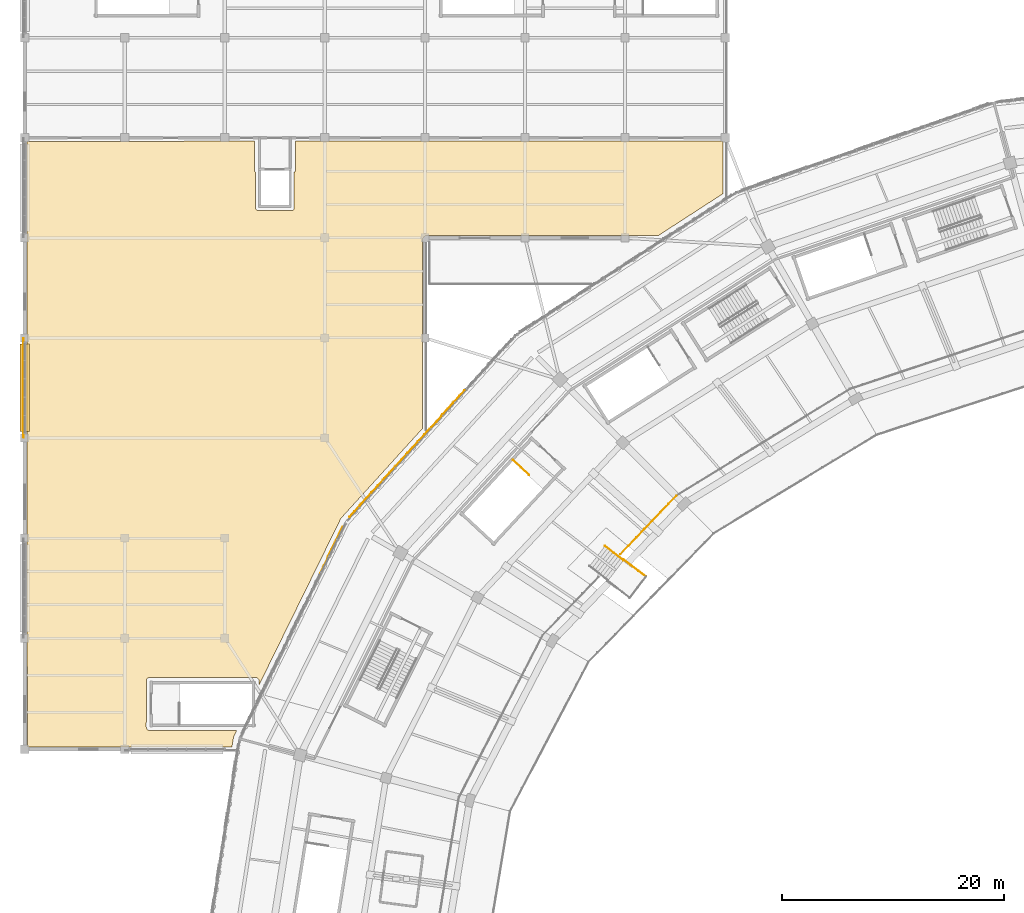
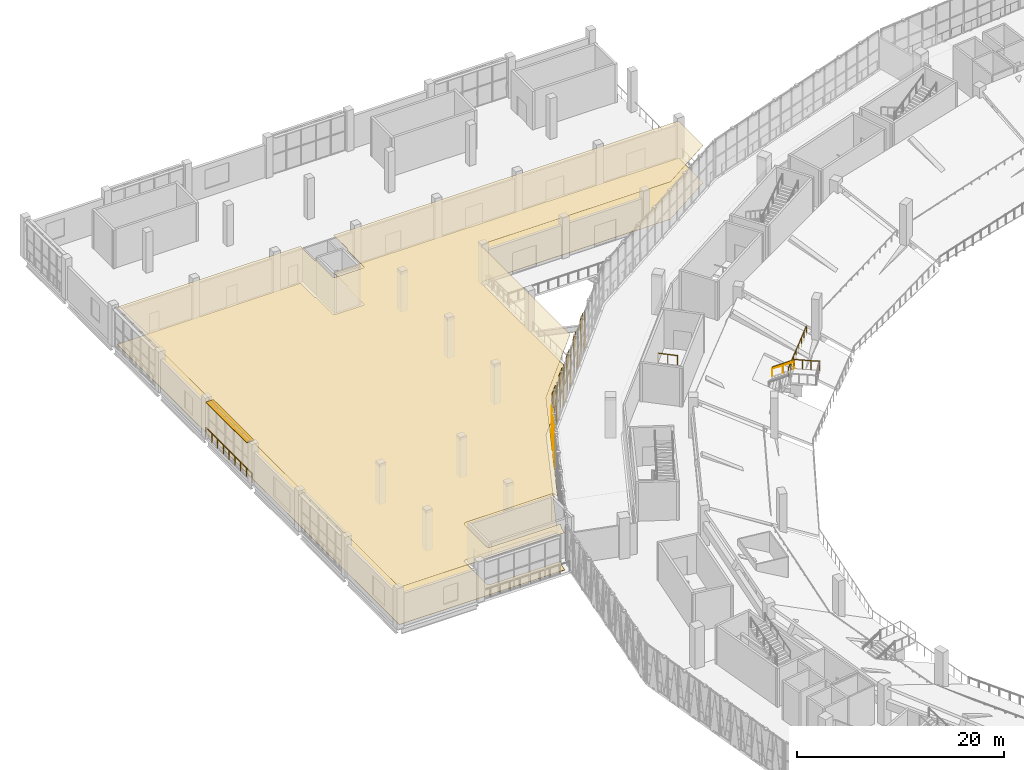
# One storey, part 138 of 152: 15 coverings, 6 railings, 1 shading device.
"""IFC4 building model written with IfcOpenShell, lengths in metres."""

from ifc_helpers import new_model, si_unit, direction, frame, origin, origin_2d, place, context, subcontext, project, spatial, polyline, rectangle, circle, outline, extrude, material, layer, layer_set, type_object, element, save


model = new_model("IFC4")

# Units and contexts
model_context = context("Model", 3, precision=1e-05, world=origin(), true_north=direction((0.0, 1.0)))
body_context = subcontext(model_context, "Body", "Model", "MODEL_VIEW")
ifc_project = project(units=[si_unit("LENGTHUNIT", "METRE"), si_unit("AREAUNIT", "SQUARE_METRE"), si_unit("VOLUMEUNIT", "CUBIC_METRE"), si_unit("PLANEANGLEUNIT", "RADIAN"), si_unit("MASSUNIT", "GRAM", prefix="KILO")], contexts=[model_context])

# Site, building, storey
site_placement = place(None, origin())
site = spatial("IfcSite", under=ifc_project, at=site_placement, CompositionType="ELEMENT")
building_placement = place(site_placement, origin())
building = spatial("IfcBuilding", under=site, at=building_placement, Name="Zevraka Park Crest Stadium", CompositionType="ELEMENT")
storey_placement = place(building_placement, frame((0.0, 0.0, 15.0)))
storey = spatial("IfcBuildingStorey", under=building, at=storey_placement, Name="L03", CompositionType="ELEMENT", Elevation=15.0)

# Coverings
ifc_material_1 = material(Name="Architectural golden-bronze perforated aluminium", Category="aluminium")
ifc_layer_1 = layer(ifc_material_1, 0.034912109375)
ifc_layer_set_1 = layer_set([ifc_layer_1], Name="Architectural golden-bronze perforated aluminium")
covering_type_1 = type_object("IfcCoveringType", Name="CLD01", PredefinedType="CLADDING", material=ifc_layer_set_1)
covering_1_placement = place(storey_placement, frame((39.575927734375, 144.281005859375, -0.260009765625), z_axis=(0.739654964732, -0.67298627735, 6.0389811e-05), x_axis=(-0.672986278577, -0.73965496608, 0.0)))
element("IfcCovering", 1, at=covering_1_placement, inside=storey, type_object=covering_type_1, Name="Triangular Golden-Bronze Perforated Cladding L03-09-5", PredefinedType="CLADDING", context=body_context, shape_type="SweptSolid", body=[
    extrude(outline(polyline([(0.0, 0.0), (1.3952213791572479, 0.0), (0.6980295860728118, -4.620117195924622), (0.0, 0.0)])), origin(), (0.0, 0.0, -1.0), 0.034912109375),
])
covering_2_placement = place(storey_placement, frame((37.590087890625, 142.097900390625, 4.52001953125), z_axis=(0.739654964523, -0.67298627716, 6.4884846e-05), x_axis=(0.672986278577, 0.73965496608, 0.0)))
element("IfcCovering", 2, at=covering_2_placement, inside=storey, type_object=covering_type_1, Name="Triangular Golden-Bronze Perforated Cladding L03-09-6", PredefinedType="CLADDING", context=body_context, shape_type="SweptSolid", body=[
    extrude(outline(polyline([(0.0, 0.0), (1.3952213791572479, -6.776263578034403e-21), (0.6980295860728118, -4.300048837176696), (0.0, 0.0)])), origin(), (0.0, 0.0, -1.0), 0.034912109375),
])
covering_3_placement = place(storey_placement, frame((37.48291015625, 141.97998046875, -0.260009765625), z_axis=(-0.739971727353, 0.672637972914, 1.0655859e-05), x_axis=(-0.672637972952, -0.739971727395, 0.0)))
element("IfcCovering", 3, at=covering_3_placement, inside=storey, type_object=covering_type_1, Name="Triangular Golden-Bronze Perforated Cladding L03-09-7", PredefinedType="CLADDING", context=body_context, shape_type="SweptSolid", body=[
    extrude(outline(polyline([(0.0, 0.0), (1.3959438531687058, 2.541098841762901e-21), (0.6987520059946044, 4.620117187762301), (0.0, 0.0)])), origin(), (0.0, 0.0, -1.0), 0.034912109375),
])
covering_4_placement = place(storey_placement, frame((35.4970703125, 139.7958984375, 4.52001953125), z_axis=(0.740050840866, -0.672550929577, 7.664783e-06), x_axis=(0.672550929597, 0.740050840888, 0.0)))
element("IfcCovering", 4, at=covering_4_placement, inside=storey, type_object=covering_type_1, Name="Triangular Golden-Bronze Perforated Cladding L03-09-8", PredefinedType="CLADDING", context=body_context, shape_type="SweptSolid", body=[
    extrude(outline(polyline([(0.0, 0.0), (1.396124519986748, -8.470329472543003e-22), (0.6987520069516184, -4.300048828251311), (0.0, 0.0)])), origin(), (0.0, 0.0, -1.0), 0.034912109375),
])
covering_5_placement = place(storey_placement, frame((35.389892578125, 139.677978515625, -0.260009765625), z_axis=(0.739654962675, -0.672986275479, 9.5952392e-05), x_axis=(-0.672986278577, -0.73965496608, 0.0)))
element("IfcCovering", 5, at=covering_5_placement, inside=storey, type_object=covering_type_1, Name="Triangular Golden-Bronze Perforated Cladding L03-09-9", PredefinedType="CLADDING", context=body_context, shape_type="SweptSolid", body=[
    extrude(outline(polyline([(0.0, 0.0), (1.3952213791572479, -1.3552527156068805e-20), (0.6978490062471088, -4.62011720876839), (0.0, 0.0)])), origin(), (0.0, 0.0, -1.0), 0.034912109375),
])
covering_6_placement = place(storey_placement, frame((33.404052734375, 137.4951171875, 4.52001953125), z_axis=(0.73965496215, -0.672986275001, 0.000103094479), x_axis=(0.672986278577, 0.73965496608, 0.0)))
element("IfcCovering", 6, at=covering_6_placement, inside=storey, type_object=covering_type_1, Name="Triangular Golden-Bronze Perforated Cladding L03-09-10", PredefinedType="CLADDING", context=body_context, shape_type="SweptSolid", body=[
    extrude(outline(polyline([(0.0, 0.0), (1.3952213791572479, 0.0), (0.6978490062471088, -4.300048850976475), (0.0, 0.0)])), origin(), (0.0, 0.0, -1.0), 0.034912109375),
])
covering_7_placement = place(storey_placement, frame((33.297119140625, 137.376953125, -0.260009765625), z_axis=(0.739884680743, -0.672733719408, 4.4420372e-05), x_axis=(-0.672733720072, -0.739884681473, 0.0)))
element("IfcCovering", 7, at=covering_7_placement, inside=storey, type_object=covering_type_1, Name="Triangular Golden-Bronze Perforated Cladding L03-09-11", PredefinedType="CLADDING", context=body_context, shape_type="SweptSolid", body=[
    extrude(outline(polyline([(0.0, 0.0), (1.3961080831123893, 6.776263578034403e-21), (0.6987355994962312, -4.620117192058137), (0.0, 0.0)])), origin(), (0.0, 0.0, -1.0), 0.034912109375),
])
covering_8_placement = place(storey_placement, frame((31.31201171875, 135.194091796875, 4.52001953125), z_axis=(0.740003442239, -0.672603081401, 1.9093939e-05), x_axis=(0.672603081524, 0.740003442374, 0.0)))
element("IfcCovering", 8, at=covering_8_placement, inside=storey, type_object=covering_type_1, Name="Triangular Golden-Bronze Perforated Cladding L03-09-12", PredefinedType="CLADDING", context=body_context, shape_type="SweptSolid", body=[
    extrude(outline(polyline([(0.0, 0.0), (1.394564353058445, -1.6940658945086007e-21), (0.6971918440777609, -4.300048828908853), (0.0, 0.0)])), origin(), (0.0, 0.0, -1.0), 0.034912109375),
])
covering_9_placement = place(storey_placement, frame((31.2041015625, 135.074951171875, -0.260009765625), z_axis=(0.739567862371, -0.673081988773, 0.00011548619), x_axis=(-0.673081993261, -0.739567867303, 0.0)))
element("IfcCovering", 9, at=covering_9_placement, inside=storey, type_object=covering_type_1, Name="Triangular Golden-Bronze Perforated Cladding L03-09-13", PredefinedType="CLADDING", context=body_context, shape_type="SweptSolid", body=[
    extrude(outline(polyline([(0.0, 0.0), (1.3953856941325256, 0.0), (0.6980133844318637, -4.620117218309391), (0.0, 0.0)])), origin(), (0.0, 0.0, -1.0), 0.034912109375),
])
covering_10_placement = place(storey_placement, frame((29.218994140625, 132.89208984375, 4.52001953125), z_axis=(0.740003442239, -0.672603081401, 1.9093939e-05), x_axis=(0.672603081524, 0.740003442374, 0.0)))
element("IfcCovering", 10, at=covering_10_placement, inside=storey, type_object=covering_type_1, Name="Triangular Golden-Bronze Perforated Cladding L03-09-14", PredefinedType="CLADDING", context=body_context, shape_type="SweptSolid", body=[
    extrude(outline(polyline([(0.0, 0.0), (1.394564353058445, -1.6940658945086007e-21), (0.6971918440777609, -4.300048828908853), (0.0, 0.0)])), origin(), (0.0, 0.0, -1.0), 0.034912109375),
])
covering_11_placement = place(storey_placement, frame((28.6279296875, 132.02392578125, -0.260009765625), z_axis=(0.897848668856, -0.440304175898, 2.2811457e-05), x_axis=(-0.440304176012, -0.89784866909, 0.0)))
element("IfcCovering", 11, at=covering_11_placement, inside=storey, type_object=covering_type_1, Name="Triangular Golden-Bronze Perforated Cladding L03-10-1", PredefinedType="CLADDING", context=body_context, shape_type="SweptSolid", body=[
    extrude(outline(polyline([(0.0, 0.0), (1.4444249288858595, 1.6940658945086007e-21), (0.7217203137041149, -4.620117188702069), (0.0, 0.0)])), origin(), (0.0, 0.0, -1.0), 0.034912109375),
])
covering_12_placement = place(storey_placement, frame((27.283935546875, 129.287109375, 4.52001953125), z_axis=(0.897581292576, -0.440848944339, 0.000177462733), x_axis=(0.440848951281, 0.89758130671, 0.0)))
element("IfcCovering", 12, at=covering_12_placement, inside=storey, type_object=covering_type_1, Name="Triangular Golden-Bronze Perforated Cladding L03-10-2", PredefinedType="CLADDING", context=body_context, shape_type="SweptSolid", body=[
    extrude(outline(polyline([(0.0, 0.0), (1.4448551794759072, -1.3552527156068805e-20), (0.7222583904617778, -4.300048895835768), (0.0, 0.0)])), origin(), (0.0, 0.0, -1.0), 0.034912109375),
])
covering_13_placement = place(storey_placement, frame((27.214111328125, 129.14306640625, -0.260009765625), z_axis=(-0.897547278624, 0.440918200115, 0.00015310664), x_axis=(-0.440918205283, -0.897547289144, 0.0)))
element("IfcCovering", 13, at=covering_13_placement, inside=storey, type_object=covering_type_1, Name="Triangular Golden-Bronze Perforated Cladding L03-10-3", PredefinedType="CLADDING", context=body_context, shape_type="SweptSolid", body=[
    extrude(outline(polyline([(0.0, 0.0), (1.4451819489774211, -1.3552527156068805e-20), (0.7229235017866342, 4.62011724165157), (0.0, 0.0)])), origin(), (0.0, 0.0, -1.0), 0.034912109375),
])
ifc_material_2 = material(Name="Perforated acoustic mineral-fibre suspended ceiling", Category="other")
ifc_layer_2 = layer(ifc_material_2, 0.02490234375)
ifc_layer_set_2 = layer_set([ifc_layer_2], Name="Perforated acoustic mineral-fibre suspended ceiling")
covering_type_2 = type_object("IfcCoveringType", Name="CLG01", PredefinedType="CEILING", material=ifc_layer_set_2)
covering_14_placement = place(storey_placement, frame((0.0, 0.0, 4.39990234375)))
element("IfcCovering", 14, at=covering_14_placement, inside=storey, type_object=covering_type_2, Name="Acoustic Ceiling Garden-Court Veranda Viewing Lounge L03-054", PredefinedType="CEILING", context=body_context, shape_type="SweptSolid", body=[
    extrude(outline(polyline([(19.06591796875, 113.678955078125), (18.802978515625, 113.135986328125), (18.7958984375, 113.118896484375), (18.7900390625, 113.10107421875), (18.785888671875, 113.08203125), (18.64111328125, 112.215087890625), (0.22998046875, 112.2080078125), (0.2080078125, 166.675048828125), (20.64990234375, 166.699951171875), (20.64990234375, 164.090087890625), (20.65087890625, 164.071044921875), (20.654052734375, 164.052001953125), (20.657958984375, 164.032958984375), (20.6650390625, 164.014892578125), (20.673095703125, 163.998046875), (20.681884765625, 163.98095703125), (20.694091796875, 163.965087890625), (20.7060546875, 163.950927734375), (20.719970703125, 163.93798828125), (20.735107421875, 163.926025390625), (20.751953125, 163.916015625), (20.76904296875, 163.906982421875), (20.77001953125, 163.906982421875), (20.77001953125, 160.669921875), (20.77099609375, 160.64990234375), (20.77392578125, 160.631103515625), (20.779052734375, 160.612060546875), (20.784912109375, 160.593017578125), (20.7939453125, 160.575927734375), (20.803955078125, 160.55908203125), (20.81494140625, 160.54296875), (20.8291015625, 160.529052734375), (20.843017578125, 160.514892578125), (20.85888671875, 160.50390625), (20.8759765625, 160.493896484375), (20.89306640625, 160.485107421875), (20.912109375, 160.47900390625), (20.930908203125, 160.47412109375), (20.949951171875, 160.470947265625), (20.969970703125, 160.469970703125), (24.030029296875, 160.469970703125), (24.050048828125, 160.470947265625), (24.069091796875, 160.47412109375), (24.087890625, 160.47900390625), (24.10693359375, 160.485107421875), (24.1240234375, 160.493896484375), (24.14111328125, 160.50390625), (24.156982421875, 160.514892578125), (24.1708984375, 160.529052734375), (24.18505859375, 160.54296875), (24.196044921875, 160.55908203125), (24.2060546875, 160.575927734375), (24.215087890625, 160.593017578125), (24.220947265625, 160.612060546875), (24.22607421875, 160.631103515625), (24.22900390625, 160.64990234375), (24.22998046875, 160.669921875), (24.22998046875, 163.906982421875), (24.23095703125, 163.906982421875), (24.248046875, 163.916015625), (24.264892578125, 163.926025390625), (24.280029296875, 163.93798828125), (24.2939453125, 163.950927734375), (24.305908203125, 163.965087890625), (24.318115234375, 163.98095703125), (24.326904296875, 163.998046875), (24.3349609375, 164.014892578125), (24.342041015625, 164.032958984375), (24.345947265625, 164.052001953125), (24.34912109375, 164.071044921875), (24.35009765625, 164.090087890625), (24.35009765625, 166.698974609375), (62.794921875, 166.699951171875), (62.7880859375, 161.962890625), (56.989013671875, 158.20703125), (36.175048828125, 158.205078125), (36.156982421875, 158.2041015625), (36.138916015625, 158.201904296875), (36.1220703125, 158.197998046875), (36.10498046875, 158.19189453125), (36.089111328125, 158.18505859375), (35.948974609375, 158.117919921875), (35.930908203125, 158.10888671875), (35.9150390625, 158.097900390625), (35.89990234375, 158.0859375), (35.885986328125, 158.072021484375), (35.8740234375, 158.056884765625), (35.863037109375, 158.0400390625), (35.85400390625, 158.02294921875), (35.845947265625, 158.0048828125), (35.805908203125, 157.89208984375), (35.800048828125, 157.8701171875), (35.7958984375, 157.847900390625), (35.794921875, 157.824951171875), (35.7890625, 140.861083984375), (28.462890625, 132.798095703125), (28.450927734375, 132.783935546875), (28.44091796875, 132.76904296875), (28.430908203125, 132.751953125), (21.069091796875, 117.76904296875), (21.069091796875, 118.173095703125), (21.068115234375, 118.193115234375), (21.06494140625, 118.2119140625), (21.06005859375, 118.23095703125), (21.053955078125, 118.25), (21.044921875, 118.26708984375), (21.034912109375, 118.283935546875), (21.02392578125, 118.300048828125), (21.010009765625, 118.31396484375), (20.904052734375, 118.419921875), (20.889892578125, 118.43408203125), (20.8740234375, 118.445068359375), (20.85693359375, 118.455078125), (20.840087890625, 118.464111328125), (20.821044921875, 118.469970703125), (20.802001953125, 118.47509765625), (20.782958984375, 118.47802734375), (20.762939453125, 118.47900390625), (11.25, 118.47998046875), (11.22998046875, 118.47900390625), (11.2109375, 118.47607421875), (11.19091796875, 118.470947265625), (11.173095703125, 118.465087890625), (11.155029296875, 118.4560546875), (11.137939453125, 118.446044921875), (11.027099609375, 118.37109375), (11.010986328125, 118.35888671875), (10.9970703125, 118.345947265625), (10.98388671875, 118.3310546875), (10.971923828125, 118.31591796875), (10.9619140625, 118.299072265625), (10.9541015625, 118.281005859375), (10.947998046875, 118.262939453125), (10.943115234375, 118.243896484375), (10.93994140625, 118.22509765625), (10.93896484375, 118.205078125), (10.929931640625, 114.0), (10.930908203125, 113.98193359375), (10.93310546875, 113.964111328125), (10.93701171875, 113.947021484375), (10.943115234375, 113.929931640625), (10.949951171875, 113.9130859375), (10.9951171875, 113.820068359375), (11.0048828125, 113.802001953125), (11.01611328125, 113.784912109375), (11.029052734375, 113.77001953125), (11.0439453125, 113.756103515625), (11.06005859375, 113.742919921875), (11.076904296875, 113.73291015625), (11.094970703125, 113.72412109375), (11.114013671875, 113.716064453125), (11.134033203125, 113.7109375), (11.154052734375, 113.7080078125), (11.174072265625, 113.70703125), (19.06591796875, 113.678955078125)])), origin(), (0.0, 0.0, 1.0), 0.025146484375),
])
ifc_material_3 = material(Name="Honed terrazzo and slip-resistant sports flooring", Category="other")
ifc_layer_3 = layer(ifc_material_3, 0.0400390625)
ifc_layer_set_3 = layer_set([ifc_layer_3], Name="Honed terrazzo and slip-resistant sports flooring")
covering_type_3 = type_object("IfcCoveringType", Name="FLR01", PredefinedType="FLOORING", material=ifc_layer_set_3)
covering_15_placement = place(storey_placement, origin())
element("IfcCovering", 15, at=covering_15_placement, inside=storey, type_object=covering_type_3, Name="Terrazzo Floor Finish Garden-Court Veranda Viewing Lounge L03-054", PredefinedType="FLOORING", context=body_context, shape_type="SweptSolid", body=[
    extrude(outline(polyline([(19.06591796875, 113.678955078125), (18.802978515625, 113.135986328125), (18.7958984375, 113.118896484375), (18.7900390625, 113.10107421875), (18.785888671875, 113.08203125), (18.64111328125, 112.215087890625), (0.22998046875, 112.2080078125), (0.2080078125, 166.675048828125), (20.64990234375, 166.699951171875), (20.64990234375, 164.090087890625), (20.65087890625, 164.071044921875), (20.654052734375, 164.052001953125), (20.657958984375, 164.032958984375), (20.6650390625, 164.014892578125), (20.673095703125, 163.998046875), (20.681884765625, 163.98095703125), (20.694091796875, 163.965087890625), (20.7060546875, 163.950927734375), (20.719970703125, 163.93798828125), (20.735107421875, 163.926025390625), (20.751953125, 163.916015625), (20.76904296875, 163.906982421875), (20.77001953125, 163.906982421875), (20.77001953125, 160.669921875), (20.77099609375, 160.64990234375), (20.77392578125, 160.631103515625), (20.779052734375, 160.612060546875), (20.784912109375, 160.593017578125), (20.7939453125, 160.575927734375), (20.803955078125, 160.55908203125), (20.81494140625, 160.54296875), (20.8291015625, 160.529052734375), (20.843017578125, 160.514892578125), (20.85888671875, 160.50390625), (20.8759765625, 160.493896484375), (20.89306640625, 160.485107421875), (20.912109375, 160.47900390625), (20.930908203125, 160.47412109375), (20.949951171875, 160.470947265625), (20.969970703125, 160.469970703125), (24.030029296875, 160.469970703125), (24.050048828125, 160.470947265625), (24.069091796875, 160.47412109375), (24.087890625, 160.47900390625), (24.10693359375, 160.485107421875), (24.1240234375, 160.493896484375), (24.14111328125, 160.50390625), (24.156982421875, 160.514892578125), (24.1708984375, 160.529052734375), (24.18505859375, 160.54296875), (24.196044921875, 160.55908203125), (24.2060546875, 160.575927734375), (24.215087890625, 160.593017578125), (24.220947265625, 160.612060546875), (24.22607421875, 160.631103515625), (24.22900390625, 160.64990234375), (24.22998046875, 160.669921875), (24.22998046875, 163.906982421875), (24.23095703125, 163.906982421875), (24.248046875, 163.916015625), (24.264892578125, 163.926025390625), (24.280029296875, 163.93798828125), (24.2939453125, 163.950927734375), (24.305908203125, 163.965087890625), (24.318115234375, 163.98095703125), (24.326904296875, 163.998046875), (24.3349609375, 164.014892578125), (24.342041015625, 164.032958984375), (24.345947265625, 164.052001953125), (24.34912109375, 164.071044921875), (24.35009765625, 164.090087890625), (24.35009765625, 166.698974609375), (62.794921875, 166.699951171875), (62.7880859375, 161.962890625), (56.989013671875, 158.20703125), (36.175048828125, 158.205078125), (36.156982421875, 158.2041015625), (36.138916015625, 158.201904296875), (36.1220703125, 158.197998046875), (36.10498046875, 158.19189453125), (36.089111328125, 158.18505859375), (35.948974609375, 158.117919921875), (35.930908203125, 158.10888671875), (35.9150390625, 158.097900390625), (35.89990234375, 158.0859375), (35.885986328125, 158.072021484375), (35.8740234375, 158.056884765625), (35.863037109375, 158.0400390625), (35.85400390625, 158.02294921875), (35.845947265625, 158.0048828125), (35.805908203125, 157.89208984375), (35.800048828125, 157.8701171875), (35.7958984375, 157.847900390625), (35.794921875, 157.824951171875), (35.7890625, 140.861083984375), (28.462890625, 132.798095703125), (28.450927734375, 132.783935546875), (28.44091796875, 132.76904296875), (28.430908203125, 132.751953125), (21.069091796875, 117.76904296875), (21.069091796875, 118.173095703125), (21.068115234375, 118.193115234375), (21.06494140625, 118.2119140625), (21.06005859375, 118.23095703125), (21.053955078125, 118.25), (21.044921875, 118.26708984375), (21.034912109375, 118.283935546875), (21.02392578125, 118.300048828125), (21.010009765625, 118.31396484375), (20.904052734375, 118.419921875), (20.889892578125, 118.43408203125), (20.8740234375, 118.445068359375), (20.85693359375, 118.455078125), (20.840087890625, 118.464111328125), (20.821044921875, 118.469970703125), (20.802001953125, 118.47509765625), (20.782958984375, 118.47802734375), (20.762939453125, 118.47900390625), (11.25, 118.47998046875), (11.22998046875, 118.47900390625), (11.2109375, 118.47607421875), (11.19091796875, 118.470947265625), (11.173095703125, 118.465087890625), (11.155029296875, 118.4560546875), (11.137939453125, 118.446044921875), (11.027099609375, 118.37109375), (11.010986328125, 118.35888671875), (10.9970703125, 118.345947265625), (10.98388671875, 118.3310546875), (10.971923828125, 118.31591796875), (10.9619140625, 118.299072265625), (10.9541015625, 118.281005859375), (10.947998046875, 118.262939453125), (10.943115234375, 118.243896484375), (10.93994140625, 118.22509765625), (10.93896484375, 118.205078125), (10.929931640625, 114.0), (10.930908203125, 113.98193359375), (10.93310546875, 113.964111328125), (10.93701171875, 113.947021484375), (10.943115234375, 113.929931640625), (10.949951171875, 113.9130859375), (10.9951171875, 113.820068359375), (11.0048828125, 113.802001953125), (11.01611328125, 113.784912109375), (11.029052734375, 113.77001953125), (11.0439453125, 113.756103515625), (11.06005859375, 113.742919921875), (11.076904296875, 113.73291015625), (11.094970703125, 113.72412109375), (11.114013671875, 113.716064453125), (11.134033203125, 113.7109375), (11.154052734375, 113.7080078125), (11.174072265625, 113.70703125), (19.06591796875, 113.678955078125)])), origin(), (0.0, 0.0, 1.0), 0.0400390625),
])

# Railings
ifc_material_4 = material(Name="Galvanised and bronze-finished steel balustrade", Category="steel")
railing_type_1 = type_object("IfcRailingType", Name="GR01", PredefinedType="GUARDRAIL", material=ifc_material_4)
railing_1_placement = place(storey_placement, frame((-0.10498046875, 140.06591796875, 0.0)))
element("IfcRailing", 16, at=railing_1_placement, inside=storey, type_object=railing_type_1, Name="Deck Edge Protection Guardrail GR01 L03-50", PredefinedType="GUARDRAIL", context=body_context, shape_type="SweptSolid", body=[
    extrude(circle(Radius=0.02392578125, at=origin_2d()), frame((0.0, 0.0, 1.076171875), z_axis=(0.0, 1.0, 0.0), x_axis=(-1.0, 0.0, 0.0)), (0.0, 0.0, 1.0), 8.8681640625),
    extrude(circle(Radius=0.02099609375, at=origin_2d()), origin(), (0.0, 0.0, 1.0), 1.052001953125),
    extrude(circle(Radius=0.02099609375, at=origin_2d()), frame((0.0, 1.1083984375, 0.0)), (0.0, 0.0, 1.0), 1.052001953125),
    extrude(circle(Radius=0.02099609375, at=origin_2d()), frame((0.0, 2.217041015625, 0.0)), (0.0, 0.0, 1.0), 1.052001953125),
    extrude(circle(Radius=0.02099609375, at=origin_2d()), frame((0.0, 3.32568359375, 0.0)), (0.0, 0.0, 1.0), 1.052001953125),
    extrude(circle(Radius=0.02099609375, at=origin_2d()), frame((0.0, 4.43408203125, 0.0)), (0.0, 0.0, 1.0), 1.052001953125),
    extrude(circle(Radius=0.02099609375, at=origin_2d()), frame((0.0, 5.54248046875, 0.0)), (0.0, 0.0, 1.0), 1.052001953125),
    extrude(circle(Radius=0.02099609375, at=origin_2d()), frame((0.0, 6.651123046875, 0.0)), (0.0, 0.0, 1.0), 1.052001953125),
    extrude(circle(Radius=0.02099609375, at=origin_2d()), frame((0.0, 7.759765625, 0.0)), (0.0, 0.0, 1.0), 1.052001953125),
    extrude(circle(Radius=0.02099609375, at=origin_2d()), frame((0.0, 8.8681640625, 0.0)), (0.0, 0.0, 1.0), 1.052001953125),
])
railing_2_placement = place(storey_placement, frame((58.612060546875, 134.803955078125, 0.0)))
element("IfcRailing", 17, at=railing_2_placement, inside=storey, type_object=railing_type_1, Name="Deck Edge Protection Guardrail GR01 L03-75", PredefinedType="GUARDRAIL", context=body_context, shape_type="SweptSolid", body=[
    extrude(circle(Radius=0.02392578125, at=origin_2d()), frame((0.0, 0.0, 1.076171875), z_axis=(-0.691914826661, -0.72197913588, 0.0), x_axis=(0.72197913588, -0.691914826661, 0.0)), (0.0, 0.0, 1.0), 7.2841796875),
    extrude(circle(Radius=0.02099609375, at=origin_2d()), origin(), (0.0, 0.0, 1.0), 1.052001953125),
    extrude(circle(Radius=0.02099609375, at=origin_2d()), frame((-0.719970703125, -0.751220703125, 0.0)), (0.0, 0.0, 1.0), 1.052001953125),
    extrude(circle(Radius=0.02099609375, at=origin_2d()), frame((-1.43994140625, -1.502685546875, 0.0)), (0.0, 0.0, 1.0), 1.052001953125),
    extrude(circle(Radius=0.02099609375, at=origin_2d()), frame((-2.159912109375, -2.25390625, 0.0)), (0.0, 0.0, 1.0), 1.052001953125),
    extrude(circle(Radius=0.02099609375, at=origin_2d()), frame((-2.880126953125, -3.005126953125, 0.0)), (0.0, 0.0, 1.0), 1.052001953125),
    extrude(circle(Radius=0.02099609375, at=origin_2d()), frame((-3.60009765625, -3.75634765625, 0.0)), (0.0, 0.0, 1.0), 1.052001953125),
    extrude(circle(Radius=0.02099609375, at=origin_2d()), frame((-4.320068359375, -4.5078125, 0.0)), (0.0, 0.0, 1.0), 1.052001953125),
    extrude(circle(Radius=0.02099609375, at=origin_2d()), frame((-5.0400390625, -5.259033203125, 0.0)), (0.0, 0.0, 1.0), 1.052001953125),
])
ifc_material_5 = material(Name="Powder-coated tubular steel stairwell guard", Category="steel")
railing_type_2 = type_object("IfcRailingType", Name="GR03", PredefinedType="GUARDRAIL", material=ifc_material_5)
railing_3_placement = place(storey_placement, frame((43.916259765625, 138.01416015625, 0.0)))
element("IfcRailing", 18, at=railing_3_placement, inside=storey, type_object=railing_type_2, Name="L03 ST10 top well guard 1", PredefinedType="GUARDRAIL", context=body_context, shape_type="SweptSolid", body=[
    extrude(circle(Radius=0.02392578125, at=origin_2d()), frame((0.0, 0.0, 1.076171875), z_axis=(0.733019701773, -0.680207407202, 0.0), x_axis=(0.680207407202, 0.733019701773, 0.0)), (0.0, 0.0, 1.0), 1.9599609375),
    extrude(circle(Radius=0.02099609375, at=origin_2d()), origin(), (0.0, 0.0, 1.0), 1.052001953125),
    extrude(circle(Radius=0.02099609375, at=origin_2d()), frame((0.71826171875, -0.66650390625, 0.0)), (0.0, 0.0, 1.0), 1.052001953125),
    extrude(circle(Radius=0.02099609375, at=origin_2d()), frame((1.436767578125, -1.333251953125, 0.0)), (0.0, 0.0, 1.0), 1.052001953125),
])
railing_4_placement = place(storey_placement, frame((52.19091796875, 130.27587890625, 0.14990234375)))
element("IfcRailing", 19, at=railing_4_placement, inside=storey, type_object=railing_type_2, Name="Vomitory Flight Guard VS-12-2", PredefinedType="GUARDRAIL", context=body_context, shape_type="SweptSolid", body=[
    extrude(circle(Radius=0.02392578125, at=origin_2d()), frame((0.0, 0.0, 1.076171875), z_axis=(0.709677917024, -0.544322130379, 0.447292602743), x_axis=(0.608597525117, 0.793479081276, 0.0)), (0.0, 0.0, 1.0), 2.34765625),
    extrude(circle(Radius=0.02099609375, at=origin_2d()), origin(), (0.0, 0.0, 1.0), 1.052001953125),
    extrude(circle(Radius=0.02099609375, at=origin_2d()), frame((0.8330078125, -0.638916015625, 0.52490234375)), (0.0, 0.0, 1.0), 1.052001953125),
    extrude(circle(Radius=0.02099609375, at=origin_2d()), frame((1.666015625, -1.27783203125, 1.050048828125)), (0.0, 0.0, 1.0), 1.052001953125),
])
railing_5_placement = place(storey_placement, frame((55.876953125, 127.52392578125, 1.199951171875)))
element("IfcRailing", 20, at=railing_5_placement, inside=storey, type_object=railing_type_2, Name="Vomitory Landing Guard VS-12-3", PredefinedType="GUARDRAIL", context=body_context, shape_type="SweptSolid", body=[
    extrude(circle(Radius=0.02392578125, at=origin_2d()), frame((0.0, 0.0, 1.076171875), z_axis=(-0.793313670586, 0.608813124087, 0.0), x_axis=(-0.608813124087, -0.793313670586, 0.0)), (0.0, 0.0, 1.0), 2.524658203125),
    extrude(circle(Radius=0.02099609375, at=origin_2d()), origin(), (0.0, 0.0, 1.0), 1.052001953125),
    extrude(circle(Radius=0.02099609375, at=origin_2d()), frame((-0.667724609375, 0.512451171875, 0.0)), (0.0, 0.0, 1.0), 1.052001953125),
    extrude(circle(Radius=0.02099609375, at=origin_2d()), frame((-1.335205078125, 1.024658203125, 0.0)), (0.0, 0.0, 1.0), 1.052001953125),
    extrude(circle(Radius=0.02099609375, at=origin_2d()), frame((-2.0029296875, 1.537109375, 0.0)), (0.0, 0.0, 1.0), 1.052001953125),
])
ifc_material_6 = material(Name="Brushed stainless steel continuous handrail", Category="steel")
railing_type_3 = type_object("IfcRailingType", Name="HR01", PredefinedType="HANDRAIL", material=ifc_material_6)
railing_6_placement = place(storey_placement, frame((52.19091796875, 130.27587890625, 0.14990234375)))
element("IfcRailing", 21, at=railing_6_placement, inside=storey, type_object=railing_type_3, Name="Vomitory Handrail VS-12-2", PredefinedType="HANDRAIL", context=body_context, shape_type="SweptSolid", body=[
    extrude(circle(Radius=0.02392578125, at=origin_2d()), frame((0.0, 0.0, 0.8759765625), z_axis=(0.709677917024, -0.544322130379, 0.447292602743), x_axis=(0.608597525117, 0.793479081276, 0.0)), (0.0, 0.0, 1.0), 2.34765625),
    extrude(circle(Radius=0.02099609375, at=origin_2d()), origin(), (0.0, 0.0, 1.0), 0.851806640625),
    extrude(circle(Radius=0.02099609375, at=origin_2d()), frame((0.8330078125, -0.638916015625, 0.52490234375)), (0.0, 0.0, 1.0), 0.851806640625),
    extrude(circle(Radius=0.02099609375, at=origin_2d()), frame((1.666015625, -1.27783203125, 1.050048828125)), (0.0, 0.0, 1.0), 0.851806640625),
])

# Shading device
ifc_material_7 = material(Name="Architectural golden-bronze anodised bronze", Category="aluminium")
ifc_layer_4 = layer(ifc_material_7, 0.06005859375)
ifc_layer_set_4 = layer_set([ifc_layer_4], Name="Architectural golden-bronze anodised bronze")
shading_device_type = type_object("IfcShadingDeviceType", Name="SHD01", PredefinedType="USERDEFINED", material=ifc_layer_set_4)
shading_device_placement = place(storey_placement, frame((0.0, 144.5, 4.4599609375), z_axis=(0.0, 0.0, 1.0), x_axis=(0.0, 1.0, 0.0)))
element("IfcShadingDevice", 22, at=shading_device_placement, inside=storey, type_object=shading_device_type, Name="Wing Bronze Solar Screen SHD01 L03-NW-W-4", ObjectType="SOLAR SCREEN", PredefinedType="USERDEFINED", context=body_context, shape_type="SweptSolid", body=[
    extrude(rectangle(XDim=7.8701171875, YDim=0.85009765625, at=origin_2d()), origin(), (0.0, 0.0, 1.0), 0.06005859375),
])

save(model, "model.ifc")
